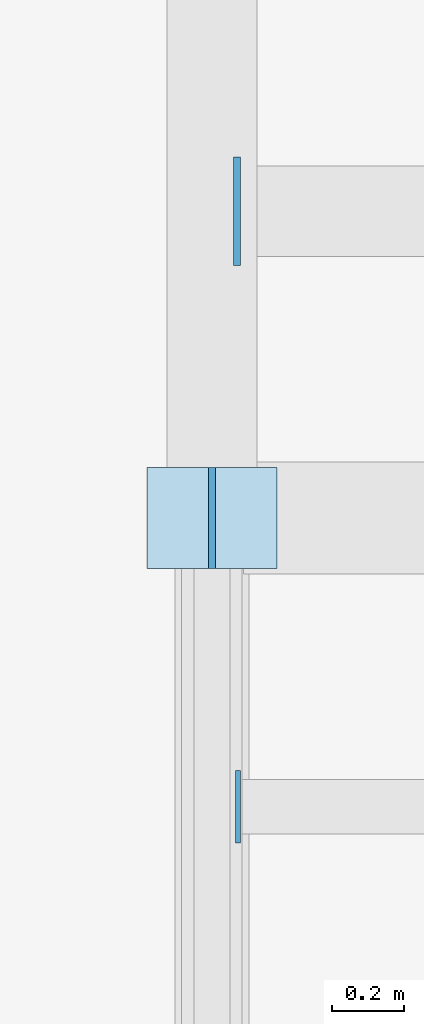
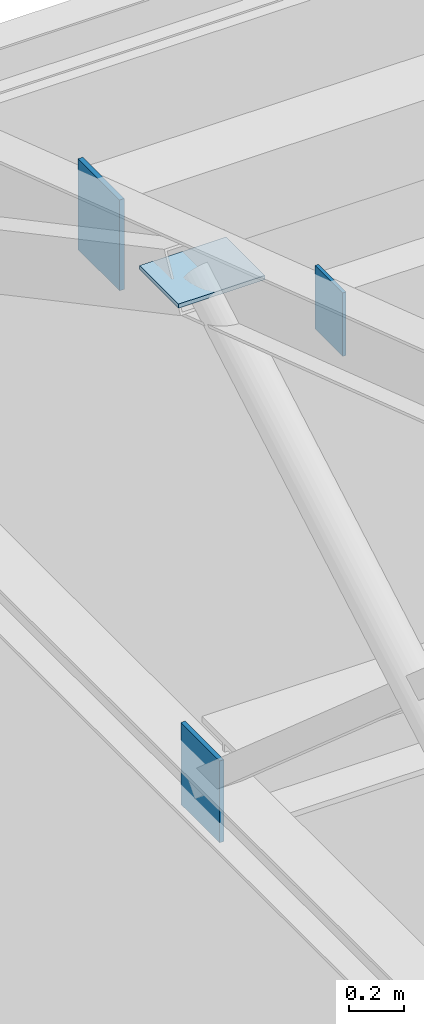
# One storey, part 236 of 285: 4 plates.
"""IFC4 building model written with IfcOpenShell, lengths in metres."""

from ifc_helpers import new_model, si_unit, direction, frame, origin, origin_2d, place, context, subcontext, project, spatial, rectangle, extrude, material, layer, layer_set, type_object, element, save


model = new_model("IFC4")

# Units and contexts
model_context = context("Model", 3, precision=1e-05, world=origin(), true_north=direction((0.0, 1.0)))
body_context = subcontext(model_context, "Body", "Model", "MODEL_VIEW")
ifc_project = project(units=[si_unit("LENGTHUNIT", "METRE"), si_unit("AREAUNIT", "SQUARE_METRE"), si_unit("VOLUMEUNIT", "CUBIC_METRE"), si_unit("PLANEANGLEUNIT", "RADIAN"), si_unit("MASSUNIT", "GRAM", prefix="KILO")], contexts=[model_context])

# Site, building, storey
site_placement = place(None, origin())
site = spatial("IfcSite", under=ifc_project, at=site_placement, CompositionType="ELEMENT")
building_placement = place(site_placement, origin())
building = spatial("IfcBuilding", under=site, at=building_placement, Name="Solanera Park Tramway Depot", CompositionType="ELEMENT")
storey_placement = place(building_placement, origin())
storey = spatial("IfcBuildingStorey", under=building, at=storey_placement, Name="L00", CompositionType="ELEMENT", Elevation=0.0)

# Plates
ifc_material_1 = material(Name="Steel AS/NZS 3679.1 Grade 350", Category="steel")
ifc_layer_1 = layer(ifc_material_1, 0.013916015625)
ifc_layer_set_1 = layer_set([ifc_layer_1], Name="Steel AS/NZS 3679.1 Grade 350")
plate_type_1 = type_object("IfcPlateType", Name="Hollow End Cap and Base Plate 280x200x14", PredefinedType="USERDEFINED", material=ifc_layer_set_1)
plate_1_placement = place(storey_placement, frame((15.072021484375, 138.75, 8.89599609375), z_axis=(0.0, 0.0, 1.0), x_axis=(1.0, 0.0, 0.0)))
element("IfcPlate", 1, at=plate_1_placement, inside=storey, type_object=plate_type_1, Name="Hollow Section Welded End Cap Plate #1066", ObjectType="BASE PLATE", PredefinedType="USERDEFINED", context=body_context, shape_type="SweptSolid", body=[
    extrude(rectangle(XDim=0.013916015625, YDim=0.199951171875, at=origin_2d()), origin(), (0.0, 0.0, 1.0), 0.280029296875),
])
ifc_material_2 = material(Name="Steel AS/NZS 3679.1 Grade 350", Category="steel")
ifc_layer_2 = layer(ifc_material_2, 0.01806640625)
ifc_layer_set_2 = layer_set([ifc_layer_2], Name="Steel AS/NZS 3679.1 Grade 350")
plate_type_2 = type_object("IfcPlateType", Name="Hollow End Cap and Base Plate 360x280x18", PredefinedType="USERDEFINED", material=ifc_layer_set_2)
plate_2_placement = place(storey_placement, frame((15.0, 139.550048828125, 6.31982421875), z_axis=(0.0, 0.0, 1.0), x_axis=(1.0, 0.0, 0.0)))
element("IfcPlate", 2, at=plate_2_placement, inside=storey, type_object=plate_type_2, Name="Sawtooth Truss Hollow End Cap #1003", ObjectType="BASE PLATE", PredefinedType="USERDEFINED", context=body_context, shape_type="SweptSolid", body=[
    extrude(rectangle(XDim=0.01806640625, YDim=0.280029296875, at=origin_2d()), origin(), (0.0, 0.0, 1.0), 0.360107421875),
])
plate_3_placement = place(storey_placement, frame((15.0, 139.550048828125, 8.733642578125), z_axis=(0.0, 0.0, 1.0), x_axis=(1.0, 0.0, 0.0)))
element("IfcPlate", 3, at=plate_3_placement, inside=storey, type_object=plate_type_2, Name="Sawtooth Truss Node Cap Plate #1005", ObjectType="BASE PLATE", PredefinedType="USERDEFINED", context=body_context, shape_type="SweptSolid", body=[
    extrude(rectangle(XDim=0.360107421875, YDim=0.280029296875, at=origin_2d()), origin(), (0.0, 0.0, 1.0), 0.01806640625),
])
ifc_material_3 = material(Name="Steel AS/NZS 3679.1 Grade 350", Category="steel")
ifc_layer_3 = layer(ifc_material_3, 0.02001953125)
ifc_layer_set_3 = layer_set([ifc_layer_3], Name="Steel AS/NZS 3679.1 Grade 350")
plate_type_3 = type_object("IfcPlateType", Name="Hollow End Cap and Base Plate 400x300x20", PredefinedType="USERDEFINED", material=ifc_layer_set_3)
plate_4_placement = place(storey_placement, frame((15.069091796875, 140.39990234375, 8.217041015625), z_axis=(0.0, 0.0, 1.0), x_axis=(1.0, 0.0, 0.0)))
element("IfcPlate", 4, at=plate_4_placement, inside=storey, type_object=plate_type_3, Name="Hollow Section Welded End Cap Plate #1078", ObjectType="BASE PLATE", PredefinedType="USERDEFINED", context=body_context, shape_type="SweptSolid", body=[
    extrude(rectangle(XDim=0.02001953125, YDim=0.300048828125, at=origin_2d()), origin(), (0.0, 0.0, 1.0), 0.39990234375),
])

save(model, "model.ifc")
